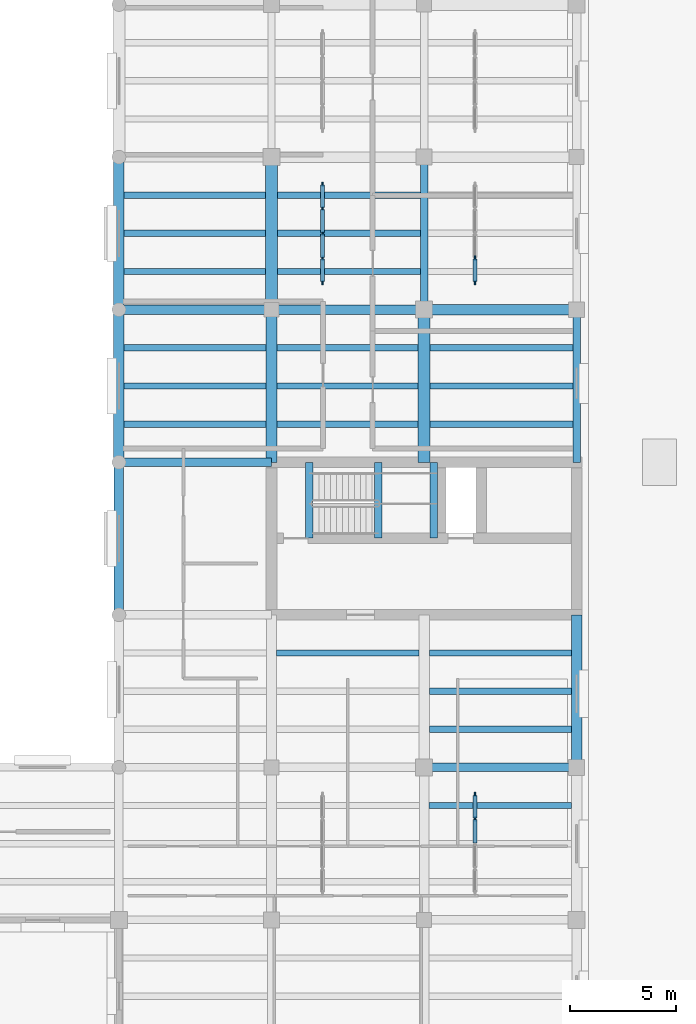
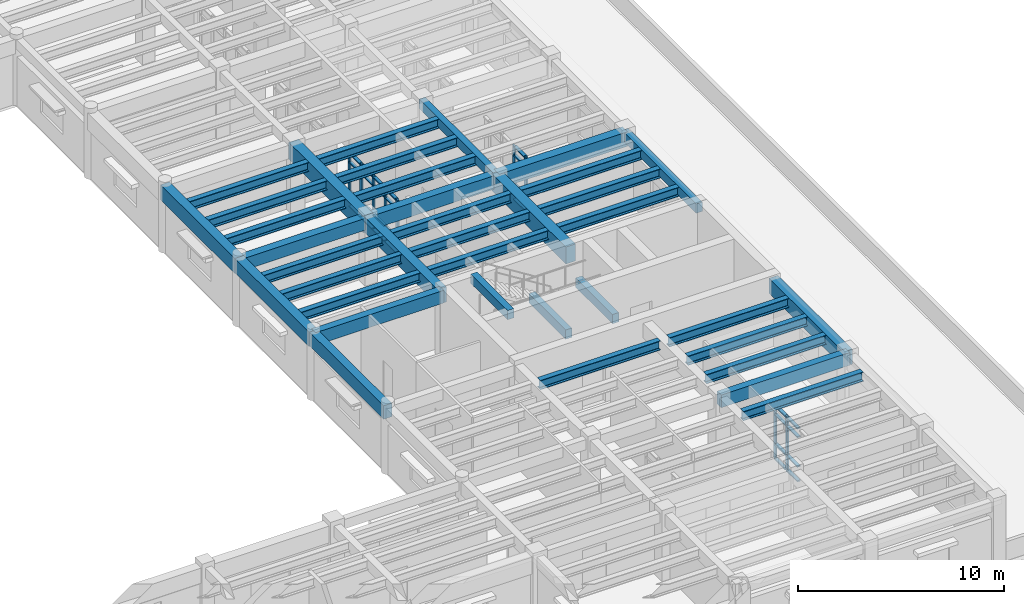
# One storey, part 27 of 76: 37 beams, 37 members, 3 elements without a shape of their own.
"""IFC4 building model written with IfcOpenShell, lengths in metres."""

from ifc_helpers import new_model, si_unit, direction, frame, origin, origin_2d, place, context, subcontext, project, spatial, rectangle, i_section, extrude, material, material_profile, profile_set, type_object, element, aggregate, save


model = new_model("IFC4")

# Units and contexts
model_context = context("Model", 3, precision=1e-05, world=origin(), true_north=direction((0.0, 1.0)))
body_context = subcontext(model_context, "Body", "Model", "MODEL_VIEW")
ifc_project = project(units=[si_unit("LENGTHUNIT", "METRE"), si_unit("AREAUNIT", "SQUARE_METRE"), si_unit("VOLUMEUNIT", "CUBIC_METRE"), si_unit("PLANEANGLEUNIT", "RADIAN"), si_unit("MASSUNIT", "GRAM", prefix="KILO")], contexts=[model_context])

# Site, building, storey
site_placement = place(None, origin())
site = spatial("IfcSite", under=ifc_project, at=site_placement, CompositionType="ELEMENT")
building_placement = place(site_placement, origin())
building = spatial("IfcBuilding", under=site, at=building_placement, Name="Mithqara Police Headquarters", CompositionType="ELEMENT")
storey_placement = place(building_placement, frame((0.0, 0.0, 5.39990234375)))
storey = spatial("IfcBuildingStorey", under=building, at=storey_placement, Name="L01", CompositionType="ELEMENT", Elevation=5.39990234375)

# Beams
ifc_material_1 = material(Name="Steel S355JR", Category="steel")
ifc_material_profile_1 = material_profile(ifc_material_1, i_section(OverallWidth=0.300048828125, OverallDepth=0.550048828125, WebThickness=0.014892578125, FlangeThickness=0.029052734375, FilletRadius=0.027099609375, at=origin_2d()), Name="HEB 550")
ifc_profile_set_1 = profile_set([ifc_material_profile_1], Name="Steel S355JR")
beam_type_1 = type_object("IfcBeamType", Name="BEAM HEB550", PredefinedType="BEAM", material=ifc_profile_set_1)
for number, where, z_axis, x_axis, name in (
    (1, (144.85009765625, 51.60009765625, 3.64501953125), (1.0, 0.0, 0.0), (0.0, 1.0, 0.0), "L01 Composite Steel Joist 21-22/H.1"),
    (2, (144.85009765625, 53.39990234375, 3.64501953125), (1.0, 0.0, 0.0), (0.0, 1.0, 0.0), "L01 Composite Steel Joist 21-22/H.2"),
    (3, (144.85009765625, 55.199951171875, 3.64501953125), (1.0, 0.0, 0.0), (0.0, 1.0, 0.0), "L01 Composite Steel Joist 21-22/H.3"),
):
    element("IfcBeam", number, at=place(storey_placement, frame(where, z_axis=z_axis, x_axis=x_axis)), inside=storey, type_object=beam_type_1, Name=name, PredefinedType="BEAM", context=body_context, shape_type="SweptSolid", body=[
        extrude(i_section(OverallWidth=0.300048828125, OverallDepth=0.550048828125, WebThickness=0.014892578125, FlangeThickness=0.029052734375, FilletRadius=0.027099609375, at=origin_2d()), origin(), (0.0, 0.0, 1.0), 6.699951171875),
    ])
for number, where, z_axis, x_axis, name in (
    (4, (144.85009765625, 58.800048828125, 3.64501953125), (1.0, 0.0, 0.0), (0.0, 1.0, 0.0), "L01 Composite Steel Joist 21-22/J.1"),
    (5, (144.85009765625, 60.60009765625, 3.64501953125), (1.0, 0.0, 0.0), (0.0, 1.0, 0.0), "L01 Composite Steel Joist 21-22/J.2"),
    (6, (144.85009765625, 62.39990234375, 3.64501953125), (1.0, 0.0, 0.0), (0.0, 1.0, 0.0), "L01 Composite Steel Joist 21-22/J.3"),
):
    element("IfcBeam", number, at=place(storey_placement, frame(where, z_axis=z_axis, x_axis=x_axis)), inside=storey, type_object=beam_type_1, Name=name, PredefinedType="BEAM", context=body_context, shape_type="SweptSolid", body=[
        extrude(i_section(OverallWidth=0.300048828125, OverallDepth=0.550048828125, WebThickness=0.014892578125, FlangeThickness=0.029052734375, FilletRadius=0.027099609375, at=origin_2d()), origin(), (0.0, 0.0, 1.0), 6.6748046875),
    ])
beam_1_placement = place(storey_placement, frame((152.02490234375, 40.800048828125, 3.64501953125), z_axis=(1.0, 0.0, 0.0), x_axis=(0.0, 1.0, 0.0)))
element("IfcBeam", 7, at=beam_1_placement, inside=storey, type_object=beam_type_1, Name="L01 Composite Steel Joist 22-23/F.3", PredefinedType="BEAM", context=body_context, shape_type="SweptSolid", body=[
    extrude(i_section(OverallWidth=0.300048828125, OverallDepth=0.550048828125, WebThickness=0.014892578125, FlangeThickness=0.029052734375, FilletRadius=0.027099609375, at=origin_2d()), origin(), (0.0, 0.0, 1.0), 6.72509765625),
])
for number, where, z_axis, x_axis, name in (
    (8, (152.050048828125, 51.60009765625, 3.64501953125), (1.0, 0.0, 0.0), (0.0, 1.0, 0.0), "L01 Composite Steel Joist 22-23/H.1"),
    (9, (152.050048828125, 53.39990234375, 3.64501953125), (1.0, 0.0, 0.0), (0.0, 1.0, 0.0), "L01 Composite Steel Joist 22-23/H.2"),
    (10, (152.050048828125, 55.199951171875, 3.64501953125), (1.0, 0.0, 0.0), (0.0, 1.0, 0.0), "L01 Composite Steel Joist 22-23/H.3"),
):
    element("IfcBeam", number, at=place(storey_placement, frame(where, z_axis=z_axis, x_axis=x_axis)), inside=storey, type_object=beam_type_1, Name=name, PredefinedType="BEAM", context=body_context, shape_type="SweptSolid", body=[
        extrude(i_section(OverallWidth=0.300048828125, OverallDepth=0.550048828125, WebThickness=0.014892578125, FlangeThickness=0.029052734375, FilletRadius=0.027099609375, at=origin_2d()), origin(), (0.0, 0.0, 1.0), 6.675048828125),
    ])
for number, where, z_axis, x_axis, name in (
    (11, (152.074951171875, 58.800048828125, 3.64501953125), (1.0, 0.0, 0.0), (0.0, 1.0, 0.0), "L01 Composite Steel Joist 22-23/J.1"),
    (12, (152.074951171875, 60.60009765625, 3.64501953125), (1.0, 0.0, 0.0), (0.0, 1.0, 0.0), "L01 Composite Steel Joist 22-23/J.2"),
    (13, (152.074951171875, 62.39990234375, 3.64501953125), (1.0, 0.0, 0.0), (0.0, 1.0, 0.0), "L01 Composite Steel Joist 22-23/J.3"),
):
    element("IfcBeam", number, at=place(storey_placement, frame(where, z_axis=z_axis, x_axis=x_axis)), inside=storey, type_object=beam_type_1, Name=name, PredefinedType="BEAM", context=body_context, shape_type="SweptSolid", body=[
        extrude(i_section(OverallWidth=0.300048828125, OverallDepth=0.550048828125, WebThickness=0.014892578125, FlangeThickness=0.029052734375, FilletRadius=0.027099609375, at=origin_2d()), origin(), (0.0, 0.0, 1.0), 6.75),
    ])
beam_2_placement = place(storey_placement, frame((159.22509765625, 33.60009765625, 3.64501953125), z_axis=(1.0, 0.0, 0.0), x_axis=(0.0, 1.0, 0.0)))
element("IfcBeam", 14, at=beam_2_placement, inside=storey, type_object=beam_type_1, Name="L01 Composite Steel Joist 23-24/E.3", PredefinedType="BEAM", context=body_context, shape_type="SweptSolid", body=[
    extrude(i_section(OverallWidth=0.300048828125, OverallDepth=0.550048828125, WebThickness=0.014892578125, FlangeThickness=0.029052734375, FilletRadius=0.027099609375, at=origin_2d()), origin(), (0.0, 0.0, 1.0), 6.724853515625),
])
for number, where, z_axis, x_axis, name in (
    (15, (159.25, 37.199951171875, 3.64501953125), (1.0, 0.0, 0.0), (0.0, 1.0, 0.0), "L01 Composite Steel Joist 23-24/F.1"),
    (16, (159.25, 39.0, 3.64501953125), (1.0, 0.0, 0.0), (0.0, 1.0, 0.0), "L01 Composite Steel Joist 23-24/F.2"),
    (17, (159.25, 40.800048828125, 3.64501953125), (1.0, 0.0, 0.0), (0.0, 1.0, 0.0), "L01 Composite Steel Joist 23-24/F.3"),
):
    element("IfcBeam", number, at=place(storey_placement, frame(where, z_axis=z_axis, x_axis=x_axis)), inside=storey, type_object=beam_type_1, Name=name, PredefinedType="BEAM", context=body_context, shape_type="SweptSolid", body=[
        extrude(i_section(OverallWidth=0.300048828125, OverallDepth=0.550048828125, WebThickness=0.014892578125, FlangeThickness=0.029052734375, FilletRadius=0.027099609375, at=origin_2d()), origin(), (0.0, 0.0, 1.0), 6.699951171875),
    ])
for number, where, z_axis, x_axis, name in (
    (18, (159.27490234375, 51.60009765625, 3.64501953125), (1.0, 0.0, 0.0), (0.0, 1.0, 0.0), "L01 Composite Steel Joist 23-24/H.1"),
    (19, (159.27490234375, 53.39990234375, 3.64501953125), (1.0, 0.0, 0.0), (0.0, 1.0, 0.0), "L01 Composite Steel Joist 23-24/H.2"),
    (20, (159.27490234375, 55.199951171875, 3.64501953125), (1.0, 0.0, 0.0), (0.0, 1.0, 0.0), "L01 Composite Steel Joist 23-24/H.3"),
):
    element("IfcBeam", number, at=place(storey_placement, frame(where, z_axis=z_axis, x_axis=x_axis)), inside=storey, type_object=beam_type_1, Name=name, PredefinedType="BEAM", context=body_context, shape_type="SweptSolid", body=[
        extrude(i_section(OverallWidth=0.300048828125, OverallDepth=0.550048828125, WebThickness=0.014892578125, FlangeThickness=0.029052734375, FilletRadius=0.027099609375, at=origin_2d()), origin(), (0.0, 0.0, 1.0), 6.75),
    ])
ifc_material_2 = material(Name="Concrete C40/50", Category="concrete")
ifc_material_profile_2 = material_profile(ifc_material_2, rectangle(XDim=0.35009765625, YDim=0.550048828125, at=origin_2d()), Name="RC 350x550")
ifc_profile_set_2 = profile_set([ifc_material_profile_2], Name="Concrete C40/50")
beam_type_2 = type_object("IfcBeamType", Name="BEAM RC350X550", PredefinedType="BEAM", material=ifc_profile_set_2)
for number, where, z_axis, x_axis, name in (
    (21, (159.0, 57.0, 3.64501953125), (0.0, 1.0, 0.0), (-1.0, 0.0, 0.0), "L01 Girder 23/J-K"),
    (22, (166.199951171875, 49.800048828125, 3.64501953125), (0.0, 1.0, 0.0), (-1.0, 0.0, 0.0), "L01 Girder 24/H-J"),
):
    element("IfcBeam", number, at=place(storey_placement, frame(where, z_axis=z_axis, x_axis=x_axis)), inside=storey, type_object=beam_type_2, Name=name, PredefinedType="BEAM", context=body_context, shape_type="SweptSolid", body=[
        extrude(rectangle(XDim=0.35009765625, YDim=0.550048828125, at=origin_2d()), origin(), (0.0, 0.0, 1.0), 7.199951171875),
    ])
for number, where, z_axis, x_axis, name in (
    (23, (156.830078125, 46.219970703125, 1.635009765625), (0.0, 1.0, 0.0), (-1.0, 0.0, 0.0), "L01 ST-04 Half-Landing Bearer LF"),
    (24, (159.449951171875, 46.219970703125, 1.635009765625), (0.0, 1.0, 0.0), (-1.0, 0.0, 0.0), "L01 ST-04 Half-Landing Bearer LB"),
    (25, (153.576904296875, 46.219970703125, 3.925048828125), (0.0, 1.0, 0.0), (-1.0, 0.0, 0.0), "L01 ST-04 Stairwell Trimmer Beam"),
):
    element("IfcBeam", number, at=place(storey_placement, frame(where, z_axis=z_axis, x_axis=x_axis)), inside=storey, type_object=beam_type_2, Name=name, PredefinedType="BEAM", context=body_context, shape_type="SweptSolid", body=[
        extrude(rectangle(XDim=0.35009765625, YDim=0.550048828125, at=origin_2d()), origin(), (0.0, 0.0, 1.0), 3.580078125),
    ])
ifc_material_profile_3 = material_profile(ifc_material_2, rectangle(XDim=0.39990234375, YDim=0.75, at=origin_2d()), Name="RC 400x750")
ifc_profile_set_3 = profile_set([ifc_material_profile_3], Name="Concrete C40/50")
beam_type_3 = type_object("IfcBeamType", Name="BEAM RC400X750", PredefinedType="BEAM", material=ifc_profile_set_3)
for number, where, z_axis, x_axis, name in (
    (26, (144.60009765625, 49.800048828125, 3.545166015625), (1.0, 0.0, 0.0), (0.0, 1.0, 0.0), "L01 Girder 21-22/H"),
    (27, (159.0, 35.39990234375, 3.545166015625), (1.0, 0.0, 0.0), (0.0, 1.0, 0.0), "L01 Girder 23-24/F"),
):
    element("IfcBeam", number, at=place(storey_placement, frame(where, z_axis=z_axis, x_axis=x_axis)), inside=storey, type_object=beam_type_3, Name=name, PredefinedType="BEAM", context=body_context, shape_type="SweptSolid", body=[
        extrude(rectangle(XDim=0.39990234375, YDim=0.75, at=origin_2d()), origin(), (0.0, 0.0, 1.0), 7.199951171875),
    ])
ifc_material_profile_4 = material_profile(ifc_material_2, rectangle(XDim=0.449951171875, YDim=0.699951171875, at=origin_2d()), Name="RC 450x700")
ifc_profile_set_4 = profile_set([ifc_material_profile_4], Name="Concrete C40/50")
beam_type_4 = type_object("IfcBeamType", Name="BEAM RC450X700", PredefinedType="BEAM", material=ifc_profile_set_4)
beam_3_placement = place(storey_placement, frame((144.60009765625, 57.0, 3.570068359375), z_axis=(1.0, 0.0, 0.0), x_axis=(0.0, 1.0, 0.0)))
element("IfcBeam", 28, at=beam_3_placement, inside=storey, type_object=beam_type_4, Name="L01 Girder 21-22/J", PredefinedType="BEAM", context=body_context, shape_type="SweptSolid", body=[
    extrude(rectangle(XDim=0.449951171875, YDim=0.699951171875, at=origin_2d()), origin(), (0.0, 0.0, 1.0), 7.199951171875),
])
ifc_material_profile_5 = material_profile(ifc_material_2, rectangle(XDim=0.449951171875, YDim=0.800048828125, at=origin_2d()), Name="RC 450x800")
ifc_profile_set_5 = profile_set([ifc_material_profile_5], Name="Concrete C40/50")
beam_type_5 = type_object("IfcBeamType", Name="BEAM RC450X800", PredefinedType="BEAM", material=ifc_profile_set_5)
for number, where, z_axis, x_axis, name in (
    (29, (144.60009765625, 42.60009765625, 3.52001953125), (0.0, 1.0, 0.0), (-1.0, 0.0, 0.0), "L01 Girder 21/G-H"),
    (30, (151.800048828125, 57.0, 3.52001953125), (1.0, 0.0, 0.0), (0.0, 1.0, 0.0), "L01 Girder 22-23/J"),
):
    element("IfcBeam", number, at=place(storey_placement, frame(where, z_axis=z_axis, x_axis=x_axis)), inside=storey, type_object=beam_type_5, Name=name, PredefinedType="BEAM", context=body_context, shape_type="SweptSolid", body=[
        extrude(rectangle(XDim=0.449951171875, YDim=0.800048828125, at=origin_2d()), origin(), (0.0, 0.0, 1.0), 7.199951171875),
    ])
ifc_material_profile_6 = material_profile(ifc_material_2, rectangle(XDim=0.5, YDim=0.85009765625, at=origin_2d()), Name="RC 500x850")
ifc_profile_set_6 = profile_set([ifc_material_profile_6], Name="Concrete C40/50")
beam_type_6 = type_object("IfcBeamType", Name="BEAM RC500X850", PredefinedType="BEAM", material=ifc_profile_set_6)
for number, where, z_axis, x_axis, name in (
    (31, (144.60009765625, 49.800048828125, 3.4951171875), (0.0, 1.0, 0.0), (-1.0, 0.0, 0.0), "L01 Girder 21/H-J"),
    (32, (159.0, 57.0, 3.4951171875), (1.0, 0.0, 0.0), (0.0, 1.0, 0.0), "L01 Girder 23-24/J"),
):
    element("IfcBeam", number, at=place(storey_placement, frame(where, z_axis=z_axis, x_axis=x_axis)), inside=storey, type_object=beam_type_6, Name=name, PredefinedType="BEAM", context=body_context, shape_type="SweptSolid", body=[
        extrude(rectangle(XDim=0.5, YDim=0.85009765625, at=origin_2d()), origin(), (0.0, 0.0, 1.0), 7.199951171875),
    ])
ifc_material_3 = material(Name="Concrete C50/60", Category="concrete")
ifc_material_profile_7 = material_profile(ifc_material_3, rectangle(XDim=0.5, YDim=0.89990234375, at=origin_2d()), Name="RC 500x900")
ifc_profile_set_7 = profile_set([ifc_material_profile_7], Name="Concrete C50/60")
beam_type_7 = type_object("IfcBeamType", Name="BEAM RC500X900", PredefinedType="BEAM", material=ifc_profile_set_7)
for number, where, z_axis, x_axis, name in (
    (33, (144.60009765625, 57.0, 3.47021484375), (0.0, 1.0, 0.0), (-1.0, 0.0, 0.0), "L01 Girder 21/J-K"),
    (34, (151.800048828125, 49.800048828125, 3.47021484375), (0.0, 1.0, 0.0), (-1.0, 0.0, 0.0), "L01 Girder 22/H-J"),
):
    element("IfcBeam", number, at=place(storey_placement, frame(where, z_axis=z_axis, x_axis=x_axis)), inside=storey, type_object=beam_type_7, Name=name, PredefinedType="BEAM", context=body_context, shape_type="SweptSolid", body=[
        extrude(rectangle(XDim=0.5, YDim=0.89990234375, at=origin_2d()), origin(), (0.0, 0.0, 1.0), 7.199951171875),
    ])
beam_4_placement = place(storey_placement, frame((166.199951171875, 35.39990234375, 3.47021484375), z_axis=(0.0, 1.0, 0.0), x_axis=(-1.0, 0.0, 0.0)))
element("IfcBeam", 35, at=beam_4_placement, inside=storey, type_object=beam_type_7, Name="L01 Girder 24/F-G", PredefinedType="BEAM", context=body_context, shape_type="SweptSolid", body=[
    extrude(rectangle(XDim=0.5, YDim=0.89990234375, at=origin_2d()), origin(), (0.0, 0.0, 1.0), 7.2001953125),
])
ifc_material_profile_8 = material_profile(ifc_material_3, rectangle(XDim=0.550048828125, YDim=1.0, at=origin_2d()), Name="RC 550x1000")
ifc_profile_set_8 = profile_set([ifc_material_profile_8], Name="Concrete C50/60")
beam_type_8 = type_object("IfcBeamType", Name="BEAM RC550X1000", PredefinedType="BEAM", material=ifc_profile_set_8)
for number, where, z_axis, x_axis, name in (
    (36, (151.800048828125, 57.0, 3.420166015625), (0.0, 1.0, 0.0), (-1.0, 0.0, 0.0), "L01 Girder 22/J-K"),
    (37, (159.0, 49.800048828125, 3.420166015625), (0.0, 1.0, 0.0), (-1.0, 0.0, 0.0), "L01 Girder 23/H-J"),
):
    element("IfcBeam", number, at=place(storey_placement, frame(where, z_axis=z_axis, x_axis=x_axis)), inside=storey, type_object=beam_type_8, Name=name, PredefinedType="BEAM", context=body_context, shape_type="SweptSolid", body=[
        extrude(rectangle(XDim=0.550048828125, YDim=1.0, at=origin_2d()), origin(), (0.0, 0.0, 1.0), 7.199951171875),
    ])

# Curtain wall, members
ifc_material_4 = material(Name="Bronze anodised aluminium 6063-T6", Category="aluminium")
curtain_wall_type = type_object("IfcCurtainWallType", Name="CURTAIN WALL 4700X3200", PredefinedType="USERDEFINED", material=ifc_material_4)
curtain_wall_1_placement = place(storey_placement, origin())
curtain_wall_1 = element("IfcCurtainWall", 38, at=curtain_wall_1_placement, inside=storey, type_object=curtain_wall_type, Name="L01 Unitised Glazing CW-15 (CW-INT-L01-X21-Y08-0)", ObjectType="UNITISED GLAZING", PredefinedType="USERDEFINED")
ifc_material_profile_9 = material_profile(ifc_material_4, rectangle(XDim=0.074951171875, YDim=0.219970703125, at=origin_2d()), Name="CWM 75x220")
ifc_profile_set_9 = profile_set([ifc_material_profile_9], Name="Bronze anodised aluminium 6063-T6")
member_type_1 = type_object("IfcMemberType", Name="CWMULLION 75X220", PredefinedType="MULLION", material=ifc_profile_set_9)
member_1_placement = place(storey_placement, frame((154.199951171875, 58.28759765625, 0.0), z_axis=(0.0, 0.0, 1.0), x_axis=(-1.0, 0.0, 0.0)))
member_1 = element("IfcMember", 39, at=member_1_placement, type_object=member_type_1, Name="CW-15 mullion 1", PredefinedType="MULLION", context=body_context, shape_type="SweptSolid", body=[
    extrude(rectangle(XDim=0.074951171875, YDim=0.219970703125, at=origin_2d()), origin(), (0.0, 0.0, 1.0), 3.2001953125),
])
member_2_placement = place(storey_placement, frame((154.199951171875, 59.425048828125, 0.0), z_axis=(0.0, 0.0, 1.0), x_axis=(-1.0, 0.0, 0.0)))
member_2 = element("IfcMember", 40, at=member_2_placement, type_object=member_type_1, Name="CW-15 mullion 2", PredefinedType="MULLION", context=body_context, shape_type="SweptSolid", body=[
    extrude(rectangle(XDim=0.074951171875, YDim=0.219970703125, at=origin_2d()), origin(), (0.0, 0.0, 1.0), 3.2001953125),
])
member_3_placement = place(storey_placement, frame((154.199951171875, 60.60009765625, 0.0), z_axis=(0.0, 0.0, 1.0), x_axis=(-1.0, 0.0, 0.0)))
member_3 = element("IfcMember", 41, at=member_3_placement, type_object=member_type_1, Name="CW-15 mullion 3", PredefinedType="MULLION", context=body_context, shape_type="SweptSolid", body=[
    extrude(rectangle(XDim=0.074951171875, YDim=0.219970703125, at=origin_2d()), origin(), (0.0, 0.0, 1.0), 3.2001953125),
])
member_4_placement = place(storey_placement, frame((154.199951171875, 61.77490234375, 0.0), z_axis=(0.0, 0.0, 1.0), x_axis=(-1.0, 0.0, 0.0)))
member_4 = element("IfcMember", 42, at=member_4_placement, type_object=member_type_1, Name="CW-15 mullion 4", PredefinedType="MULLION", context=body_context, shape_type="SweptSolid", body=[
    extrude(rectangle(XDim=0.074951171875, YDim=0.219970703125, at=origin_2d()), origin(), (0.0, 0.0, 1.0), 3.2001953125),
])
member_5_placement = place(storey_placement, frame((154.199951171875, 62.91259765625, 0.0), z_axis=(0.0, 0.0, 1.0), x_axis=(-1.0, 0.0, 0.0)))
member_5 = element("IfcMember", 43, at=member_5_placement, type_object=member_type_1, Name="CW-15 mullion 5", PredefinedType="MULLION", context=body_context, shape_type="SweptSolid", body=[
    extrude(rectangle(XDim=0.074951171875, YDim=0.219970703125, at=origin_2d()), origin(), (0.0, 0.0, 1.0), 3.2001953125),
])

curtain_wall_2_placement = place(storey_placement, origin())
curtain_wall_2 = element("IfcCurtainWall", 44, at=curtain_wall_2_placement, inside=storey, type_object=curtain_wall_type, Name="L01 Unitised Glazing CW-15 (CW-INT-L01-X22-Y04-0)", ObjectType="UNITISED GLAZING", PredefinedType="USERDEFINED")
member_6_placement = place(storey_placement, frame((161.39990234375, 32.97509765625, 0.0), z_axis=(0.0, 0.0, 1.0), x_axis=(-1.0, 0.0, 0.0)))
member_6 = element("IfcMember", 45, at=member_6_placement, type_object=member_type_1, Name="CW-15 mullion 4", PredefinedType="MULLION", context=body_context, shape_type="SweptSolid", body=[
    extrude(rectangle(XDim=0.074951171875, YDim=0.219970703125, at=origin_2d()), origin(), (0.0, 0.0, 1.0), 3.2001953125),
])
member_7_placement = place(storey_placement, frame((161.39990234375, 34.112548828125, 0.0), z_axis=(0.0, 0.0, 1.0), x_axis=(-1.0, 0.0, 0.0)))
member_7 = element("IfcMember", 46, at=member_7_placement, type_object=member_type_1, Name="CW-15 mullion 5", PredefinedType="MULLION", context=body_context, shape_type="SweptSolid", body=[
    extrude(rectangle(XDim=0.074951171875, YDim=0.219970703125, at=origin_2d()), origin(), (0.0, 0.0, 1.0), 3.2001953125),
])

curtain_wall_3_placement = place(storey_placement, origin())
curtain_wall_3 = element("IfcCurtainWall", 47, at=curtain_wall_3_placement, inside=storey, type_object=curtain_wall_type, Name="L01 Unitised Glazing CW-15 (CW-INT-L01-X22-Y08-0)", ObjectType="UNITISED GLAZING", PredefinedType="USERDEFINED")
member_8_placement = place(storey_placement, frame((161.39990234375, 58.28759765625, 0.0), z_axis=(0.0, 0.0, 1.0), x_axis=(-1.0, 0.0, 0.0)))
member_8 = element("IfcMember", 48, at=member_8_placement, type_object=member_type_1, Name="CW-15 mullion 1", PredefinedType="MULLION", context=body_context, shape_type="SweptSolid", body=[
    extrude(rectangle(XDim=0.074951171875, YDim=0.219970703125, at=origin_2d()), origin(), (0.0, 0.0, 1.0), 3.2001953125),
])
member_9_placement = place(storey_placement, frame((161.39990234375, 59.425048828125, 0.0), z_axis=(0.0, 0.0, 1.0), x_axis=(-1.0, 0.0, 0.0)))
member_9 = element("IfcMember", 49, at=member_9_placement, type_object=member_type_1, Name="CW-15 mullion 2", PredefinedType="MULLION", context=body_context, shape_type="SweptSolid", body=[
    extrude(rectangle(XDim=0.074951171875, YDim=0.219970703125, at=origin_2d()), origin(), (0.0, 0.0, 1.0), 3.2001953125),
])

# Member
ifc_material_profile_10 = material_profile(ifc_material_4, rectangle(XDim=0.179931640625, YDim=0.074951171875, at=origin_2d()), Name="CWT 180x75")
ifc_profile_set_10 = profile_set([ifc_material_profile_10], Name="Bronze anodised aluminium 6063-T6")
member_type_2 = type_object("IfcMemberType", Name="CWTRANSOM 180X75", PredefinedType="USERDEFINED", material=ifc_profile_set_10)
member_10_placement = place(storey_placement, frame((154.199951171875, 58.324951171875, 0.03759765625), z_axis=(0.0, 1.0, 0.0), x_axis=(-1.0, 0.0, 0.0)))
member_10 = element("IfcMember", 50, at=member_10_placement, type_object=member_type_2, Name="CW-15 transom 1.1", ObjectType="TRANSOM", PredefinedType="USERDEFINED", context=body_context, shape_type="SweptSolid", body=[
    extrude(rectangle(XDim=0.179931640625, YDim=0.074951171875, at=origin_2d()), origin(), (0.0, 0.0, 1.0), 1.0625),
])

member_11_placement = place(storey_placement, frame((154.199951171875, 58.324951171875, 0.900146484375), z_axis=(0.0, 1.0, 0.0), x_axis=(-1.0, 0.0, 0.0)))
member_11 = element("IfcMember", 51, at=member_11_placement, type_object=member_type_2, Name="CW-15 transom 1.2", ObjectType="TRANSOM", PredefinedType="USERDEFINED", context=body_context, shape_type="SweptSolid", body=[
    extrude(rectangle(XDim=0.179931640625, YDim=0.074951171875, at=origin_2d()), origin(), (0.0, 0.0, 1.0), 1.0625),
])

member_12_placement = place(storey_placement, frame((154.199951171875, 58.324951171875, 2.650146484375), z_axis=(0.0, 1.0, 0.0), x_axis=(-1.0, 0.0, 0.0)))
member_12 = element("IfcMember", 52, at=member_12_placement, type_object=member_type_2, Name="CW-15 transom 1.3", ObjectType="TRANSOM", PredefinedType="USERDEFINED", context=body_context, shape_type="SweptSolid", body=[
    extrude(rectangle(XDim=0.179931640625, YDim=0.074951171875, at=origin_2d()), origin(), (0.0, 0.0, 1.0), 1.0625),
])

member_13_placement = place(storey_placement, frame((154.199951171875, 58.324951171875, 3.16259765625), z_axis=(0.0, 1.0, 0.0), x_axis=(-1.0, 0.0, 0.0)))
member_13 = element("IfcMember", 53, at=member_13_placement, type_object=member_type_2, Name="CW-15 transom 1.4", ObjectType="TRANSOM", PredefinedType="USERDEFINED", context=body_context, shape_type="SweptSolid", body=[
    extrude(rectangle(XDim=0.179931640625, YDim=0.074951171875, at=origin_2d()), origin(), (0.0, 0.0, 1.0), 1.0625),
])

member_14_placement = place(storey_placement, frame((154.199951171875, 59.46240234375, 0.03759765625), z_axis=(0.0, 1.0, 0.0), x_axis=(-1.0, 0.0, 0.0)))
member_14 = element("IfcMember", 54, at=member_14_placement, type_object=member_type_2, Name="CW-15 transom 2.1", ObjectType="TRANSOM", PredefinedType="USERDEFINED", context=body_context, shape_type="SweptSolid", body=[
    extrude(rectangle(XDim=0.179931640625, YDim=0.074951171875, at=origin_2d()), origin(), (0.0, 0.0, 1.0), 1.10009765625),
])

member_15_placement = place(storey_placement, frame((154.199951171875, 59.46240234375, 0.900146484375), z_axis=(0.0, 1.0, 0.0), x_axis=(-1.0, 0.0, 0.0)))
member_15 = element("IfcMember", 55, at=member_15_placement, type_object=member_type_2, Name="CW-15 transom 2.2", ObjectType="TRANSOM", PredefinedType="USERDEFINED", context=body_context, shape_type="SweptSolid", body=[
    extrude(rectangle(XDim=0.179931640625, YDim=0.074951171875, at=origin_2d()), origin(), (0.0, 0.0, 1.0), 1.10009765625),
])

member_16_placement = place(storey_placement, frame((154.199951171875, 59.46240234375, 2.650146484375), z_axis=(0.0, 1.0, 0.0), x_axis=(-1.0, 0.0, 0.0)))
member_16 = element("IfcMember", 56, at=member_16_placement, type_object=member_type_2, Name="CW-15 transom 2.3", ObjectType="TRANSOM", PredefinedType="USERDEFINED", context=body_context, shape_type="SweptSolid", body=[
    extrude(rectangle(XDim=0.179931640625, YDim=0.074951171875, at=origin_2d()), origin(), (0.0, 0.0, 1.0), 1.10009765625),
])

member_17_placement = place(storey_placement, frame((154.199951171875, 59.46240234375, 3.16259765625), z_axis=(0.0, 1.0, 0.0), x_axis=(-1.0, 0.0, 0.0)))
member_17 = element("IfcMember", 57, at=member_17_placement, type_object=member_type_2, Name="CW-15 transom 2.4", ObjectType="TRANSOM", PredefinedType="USERDEFINED", context=body_context, shape_type="SweptSolid", body=[
    extrude(rectangle(XDim=0.179931640625, YDim=0.074951171875, at=origin_2d()), origin(), (0.0, 0.0, 1.0), 1.10009765625),
])

member_18_placement = place(storey_placement, frame((154.199951171875, 60.637451171875, 0.03759765625), z_axis=(0.0, 1.0, 0.0), x_axis=(-1.0, 0.0, 0.0)))
member_18 = element("IfcMember", 58, at=member_18_placement, type_object=member_type_2, Name="CW-15 transom 3.1", ObjectType="TRANSOM", PredefinedType="USERDEFINED", context=body_context, shape_type="SweptSolid", body=[
    extrude(rectangle(XDim=0.179931640625, YDim=0.074951171875, at=origin_2d()), origin(), (0.0, 0.0, 1.0), 1.10009765625),
])

member_19_placement = place(storey_placement, frame((154.199951171875, 60.637451171875, 0.900146484375), z_axis=(0.0, 1.0, 0.0), x_axis=(-1.0, 0.0, 0.0)))
member_19 = element("IfcMember", 59, at=member_19_placement, type_object=member_type_2, Name="CW-15 transom 3.2", ObjectType="TRANSOM", PredefinedType="USERDEFINED", context=body_context, shape_type="SweptSolid", body=[
    extrude(rectangle(XDim=0.179931640625, YDim=0.074951171875, at=origin_2d()), origin(), (0.0, 0.0, 1.0), 1.10009765625),
])

member_20_placement = place(storey_placement, frame((154.199951171875, 60.637451171875, 2.650146484375), z_axis=(0.0, 1.0, 0.0), x_axis=(-1.0, 0.0, 0.0)))
member_20 = element("IfcMember", 60, at=member_20_placement, type_object=member_type_2, Name="CW-15 transom 3.3", ObjectType="TRANSOM", PredefinedType="USERDEFINED", context=body_context, shape_type="SweptSolid", body=[
    extrude(rectangle(XDim=0.179931640625, YDim=0.074951171875, at=origin_2d()), origin(), (0.0, 0.0, 1.0), 1.10009765625),
])

member_21_placement = place(storey_placement, frame((154.199951171875, 60.637451171875, 3.16259765625), z_axis=(0.0, 1.0, 0.0), x_axis=(-1.0, 0.0, 0.0)))
member_21 = element("IfcMember", 61, at=member_21_placement, type_object=member_type_2, Name="CW-15 transom 3.4", ObjectType="TRANSOM", PredefinedType="USERDEFINED", context=body_context, shape_type="SweptSolid", body=[
    extrude(rectangle(XDim=0.179931640625, YDim=0.074951171875, at=origin_2d()), origin(), (0.0, 0.0, 1.0), 1.10009765625),
])

member_22_placement = place(storey_placement, frame((154.199951171875, 61.8125, 0.03759765625), z_axis=(0.0, 1.0, 0.0), x_axis=(-1.0, 0.0, 0.0)))
member_22 = element("IfcMember", 62, at=member_22_placement, type_object=member_type_2, Name="CW-15 transom 4.1", ObjectType="TRANSOM", PredefinedType="USERDEFINED", context=body_context, shape_type="SweptSolid", body=[
    extrude(rectangle(XDim=0.179931640625, YDim=0.074951171875, at=origin_2d()), origin(), (0.0, 0.0, 1.0), 1.0625),
])

member_23_placement = place(storey_placement, frame((154.199951171875, 61.8125, 0.900146484375), z_axis=(0.0, 1.0, 0.0), x_axis=(-1.0, 0.0, 0.0)))
member_23 = element("IfcMember", 63, at=member_23_placement, type_object=member_type_2, Name="CW-15 transom 4.2", ObjectType="TRANSOM", PredefinedType="USERDEFINED", context=body_context, shape_type="SweptSolid", body=[
    extrude(rectangle(XDim=0.179931640625, YDim=0.074951171875, at=origin_2d()), origin(), (0.0, 0.0, 1.0), 1.0625),
])

member_24_placement = place(storey_placement, frame((154.199951171875, 61.8125, 2.650146484375), z_axis=(0.0, 1.0, 0.0), x_axis=(-1.0, 0.0, 0.0)))
member_24 = element("IfcMember", 64, at=member_24_placement, type_object=member_type_2, Name="CW-15 transom 4.3", ObjectType="TRANSOM", PredefinedType="USERDEFINED", context=body_context, shape_type="SweptSolid", body=[
    extrude(rectangle(XDim=0.179931640625, YDim=0.074951171875, at=origin_2d()), origin(), (0.0, 0.0, 1.0), 1.0625),
])

member_25_placement = place(storey_placement, frame((154.199951171875, 61.8125, 3.16259765625), z_axis=(0.0, 1.0, 0.0), x_axis=(-1.0, 0.0, 0.0)))
member_25 = element("IfcMember", 65, at=member_25_placement, type_object=member_type_2, Name="CW-15 transom 4.4", ObjectType="TRANSOM", PredefinedType="USERDEFINED", context=body_context, shape_type="SweptSolid", body=[
    extrude(rectangle(XDim=0.179931640625, YDim=0.074951171875, at=origin_2d()), origin(), (0.0, 0.0, 1.0), 1.0625),
])

aggregate(curtain_wall_1, [member_1, member_2, member_3, member_4, member_5, member_10, member_11, member_12, member_13, member_14, member_15, member_16, member_17, member_18, member_19, member_20, member_21, member_22, member_23, member_24, member_25])

member_26_placement = place(storey_placement, frame((161.39990234375, 31.83740234375, 0.03759765625), z_axis=(0.0, 1.0, 0.0), x_axis=(-1.0, 0.0, 0.0)))
member_26 = element("IfcMember", 66, at=member_26_placement, type_object=member_type_2, Name="CW-15 transom 3.1", ObjectType="TRANSOM", PredefinedType="USERDEFINED", context=body_context, shape_type="SweptSolid", body=[
    extrude(rectangle(XDim=0.179931640625, YDim=0.074951171875, at=origin_2d()), origin(), (0.0, 0.0, 1.0), 1.10009765625),
])

member_27_placement = place(storey_placement, frame((161.39990234375, 31.83740234375, 0.900146484375), z_axis=(0.0, 1.0, 0.0), x_axis=(-1.0, 0.0, 0.0)))
member_27 = element("IfcMember", 67, at=member_27_placement, type_object=member_type_2, Name="CW-15 transom 3.2", ObjectType="TRANSOM", PredefinedType="USERDEFINED", context=body_context, shape_type="SweptSolid", body=[
    extrude(rectangle(XDim=0.179931640625, YDim=0.074951171875, at=origin_2d()), origin(), (0.0, 0.0, 1.0), 1.10009765625),
])

member_28_placement = place(storey_placement, frame((161.39990234375, 31.83740234375, 2.650146484375), z_axis=(0.0, 1.0, 0.0), x_axis=(-1.0, 0.0, 0.0)))
member_28 = element("IfcMember", 68, at=member_28_placement, type_object=member_type_2, Name="CW-15 transom 3.3", ObjectType="TRANSOM", PredefinedType="USERDEFINED", context=body_context, shape_type="SweptSolid", body=[
    extrude(rectangle(XDim=0.179931640625, YDim=0.074951171875, at=origin_2d()), origin(), (0.0, 0.0, 1.0), 1.10009765625),
])

member_29_placement = place(storey_placement, frame((161.39990234375, 31.83740234375, 3.16259765625), z_axis=(0.0, 1.0, 0.0), x_axis=(-1.0, 0.0, 0.0)))
member_29 = element("IfcMember", 69, at=member_29_placement, type_object=member_type_2, Name="CW-15 transom 3.4", ObjectType="TRANSOM", PredefinedType="USERDEFINED", context=body_context, shape_type="SweptSolid", body=[
    extrude(rectangle(XDim=0.179931640625, YDim=0.074951171875, at=origin_2d()), origin(), (0.0, 0.0, 1.0), 1.10009765625),
])

member_30_placement = place(storey_placement, frame((161.39990234375, 33.012451171875, 0.03759765625), z_axis=(0.0, 1.0, 0.0), x_axis=(-1.0, 0.0, 0.0)))
member_30 = element("IfcMember", 70, at=member_30_placement, type_object=member_type_2, Name="CW-15 transom 4.1", ObjectType="TRANSOM", PredefinedType="USERDEFINED", context=body_context, shape_type="SweptSolid", body=[
    extrude(rectangle(XDim=0.179931640625, YDim=0.074951171875, at=origin_2d()), origin(), (0.0, 0.0, 1.0), 1.0625),
])

member_31_placement = place(storey_placement, frame((161.39990234375, 33.012451171875, 0.900146484375), z_axis=(0.0, 1.0, 0.0), x_axis=(-1.0, 0.0, 0.0)))
member_31 = element("IfcMember", 71, at=member_31_placement, type_object=member_type_2, Name="CW-15 transom 4.2", ObjectType="TRANSOM", PredefinedType="USERDEFINED", context=body_context, shape_type="SweptSolid", body=[
    extrude(rectangle(XDim=0.179931640625, YDim=0.074951171875, at=origin_2d()), origin(), (0.0, 0.0, 1.0), 1.0625),
])

member_32_placement = place(storey_placement, frame((161.39990234375, 33.012451171875, 2.650146484375), z_axis=(0.0, 1.0, 0.0), x_axis=(-1.0, 0.0, 0.0)))
member_32 = element("IfcMember", 72, at=member_32_placement, type_object=member_type_2, Name="CW-15 transom 4.3", ObjectType="TRANSOM", PredefinedType="USERDEFINED", context=body_context, shape_type="SweptSolid", body=[
    extrude(rectangle(XDim=0.179931640625, YDim=0.074951171875, at=origin_2d()), origin(), (0.0, 0.0, 1.0), 1.0625),
])

member_33_placement = place(storey_placement, frame((161.39990234375, 33.012451171875, 3.16259765625), z_axis=(0.0, 1.0, 0.0), x_axis=(-1.0, 0.0, 0.0)))
member_33 = element("IfcMember", 73, at=member_33_placement, type_object=member_type_2, Name="CW-15 transom 4.4", ObjectType="TRANSOM", PredefinedType="USERDEFINED", context=body_context, shape_type="SweptSolid", body=[
    extrude(rectangle(XDim=0.179931640625, YDim=0.074951171875, at=origin_2d()), origin(), (0.0, 0.0, 1.0), 1.0625),
])

aggregate(curtain_wall_2, [member_6, member_7, member_26, member_27, member_28, member_29, member_30, member_31, member_32, member_33])

member_34_placement = place(storey_placement, frame((161.39990234375, 58.324951171875, 0.03759765625), z_axis=(0.0, 1.0, 0.0), x_axis=(-1.0, 0.0, 0.0)))
member_34 = element("IfcMember", 74, at=member_34_placement, type_object=member_type_2, Name="CW-15 transom 1.1", ObjectType="TRANSOM", PredefinedType="USERDEFINED", context=body_context, shape_type="SweptSolid", body=[
    extrude(rectangle(XDim=0.179931640625, YDim=0.074951171875, at=origin_2d()), origin(), (0.0, 0.0, 1.0), 1.0625),
])

member_35_placement = place(storey_placement, frame((161.39990234375, 58.324951171875, 0.900146484375), z_axis=(0.0, 1.0, 0.0), x_axis=(-1.0, 0.0, 0.0)))
member_35 = element("IfcMember", 75, at=member_35_placement, type_object=member_type_2, Name="CW-15 transom 1.2", ObjectType="TRANSOM", PredefinedType="USERDEFINED", context=body_context, shape_type="SweptSolid", body=[
    extrude(rectangle(XDim=0.179931640625, YDim=0.074951171875, at=origin_2d()), origin(), (0.0, 0.0, 1.0), 1.0625),
])

member_36_placement = place(storey_placement, frame((161.39990234375, 58.324951171875, 2.650146484375), z_axis=(0.0, 1.0, 0.0), x_axis=(-1.0, 0.0, 0.0)))
member_36 = element("IfcMember", 76, at=member_36_placement, type_object=member_type_2, Name="CW-15 transom 1.3", ObjectType="TRANSOM", PredefinedType="USERDEFINED", context=body_context, shape_type="SweptSolid", body=[
    extrude(rectangle(XDim=0.179931640625, YDim=0.074951171875, at=origin_2d()), origin(), (0.0, 0.0, 1.0), 1.0625),
])

member_37_placement = place(storey_placement, frame((161.39990234375, 58.324951171875, 3.16259765625), z_axis=(0.0, 1.0, 0.0), x_axis=(-1.0, 0.0, 0.0)))
member_37 = element("IfcMember", 77, at=member_37_placement, type_object=member_type_2, Name="CW-15 transom 1.4", ObjectType="TRANSOM", PredefinedType="USERDEFINED", context=body_context, shape_type="SweptSolid", body=[
    extrude(rectangle(XDim=0.179931640625, YDim=0.074951171875, at=origin_2d()), origin(), (0.0, 0.0, 1.0), 1.0625),
])

aggregate(curtain_wall_3, [member_8, member_9, member_34, member_35, member_36, member_37])

save(model, "model.ifc")
